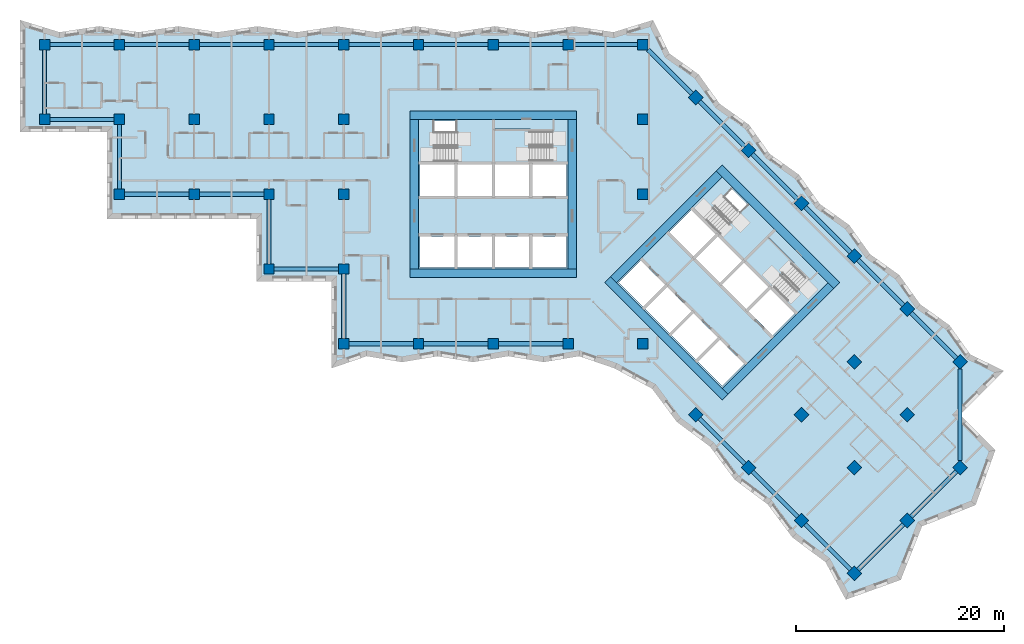
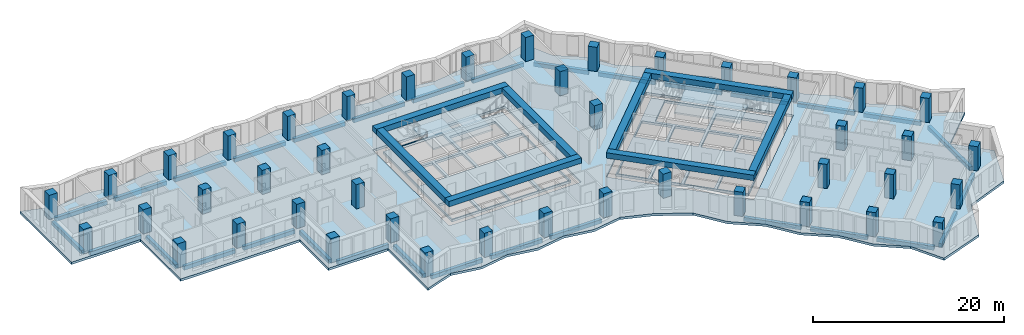
# One storey, part 1 of 13: 43 columns, 39 beams, 7 slabs, 22 openings, 4 elements without a shape of their own.
"""IFC4 building model written with IfcOpenShell, lengths in metres."""

import ifcopenshell
import ifcopenshell.guid

model = None  # the IFC model being written
_history = None  # IfcOwnerHistory: only IFC2X3 demands one
_inside = {}  # id of a spatial element -> (the spatial element, [elements in it])
_under = {}  # id of a project, library or spatial element -> (it, [spatial elements below it])
_declared = {}  # id of a project -> (the project, [libraries it declares])
_typed = {}  # id of a type object -> (the type object, [elements of that type])
_made_of = {}  # id of a material, layer set ... -> (it, [elements and type objects made of it])


def new_model(schema):
    """Start an empty IFC model of exactly this schema.

    Asked for "IFC4X3", IfcOpenShell would pick the latest addendum, in which some entities
    have other attributes; the version numbers below select the first issue.
    IFC2X3 requires an IfcOwnerHistory on every rooted entity: one is made here for all.
    """
    global model, _history
    if schema == "IFC4X3":
        model = ifcopenshell.file(schema_version=(4, 3, 0, 0))
    else:
        model = ifcopenshell.file(schema=schema)
    _inside.clear()
    _under.clear()
    _declared.clear()
    _typed.clear()
    _made_of.clear()
    _history = None
    if model.schema == "IFC2X3":
        org = make("IfcOrganization", Name="unknown")
        user = make(
            "IfcPersonAndOrganization",
            ThePerson=make("IfcPerson", FamilyName="unknown"),
            TheOrganization=org,
        )
        app = make(
            "IfcApplication",
            ApplicationDeveloper=org,
            Version="unknown",
            ApplicationFullName="unknown",
            ApplicationIdentifier="unknown",
        )
        _history = make(
            "IfcOwnerHistory",
            OwningUser=user,
            OwningApplication=app,
            ChangeAction="ADDED",
            CreationDate=0,
        )
    return model


def make(cls, **values):
    """One entity of the class cls with the attributes given. An attribute that is None is left unset."""
    return model.create_entity(
        cls, **{name: value for name, value in values.items() if value is not None}
    )


def rooted(cls, **values):
    """An entity with a GlobalId (a new one), such as an element, a storey or a relation."""
    return make(cls, GlobalId=ifcopenshell.guid.new(), OwnerHistory=_history, **values)


def si_unit(unit_type, name, prefix=None):
    """IfcSIUnit, for example si_unit("LENGTHUNIT", "METRE", prefix="MILLI")."""
    return make("IfcSIUnit", UnitType=unit_type, Prefix=prefix, Name=name)


def assignment(units):
    """IfcUnitAssignment: the units of a project."""
    return None if units is None else make("IfcUnitAssignment", Units=units)


def point(xyz):
    """IfcCartesianPoint."""
    return None if xyz is None else make("IfcCartesianPoint", Coordinates=xyz)


def direction(xyz):
    """IfcDirection."""
    return None if xyz is None else make("IfcDirection", DirectionRatios=xyz)


def frame(location, z_axis=None, x_axis=None):
    """IfcAxis2Placement3D, a coordinate frame: its origin and axes. An axis left out is left unset."""
    return make(
        "IfcAxis2Placement3D",
        Location=point(location),
        Axis=direction(z_axis),
        RefDirection=direction(x_axis),
    )


def frame_2d(location, x_axis=None):
    """IfcAxis2Placement2D, a coordinate frame in the plane: its origin and x axis."""
    return make(
        "IfcAxis2Placement2D", Location=point(location), RefDirection=direction(x_axis)
    )


def origin():
    """The frame at (0, 0, 0) with its axes left unset."""
    return frame((0.0, 0.0, 0.0))


def origin_2d():
    """The frame at (0, 0) in the plane with its x axis left unset."""
    return frame_2d((0.0, 0.0))


def place(relative_to, where):
    """IfcLocalPlacement: puts the frame where relative to a parent placement (None: the world)."""
    return make(
        "IfcLocalPlacement", PlacementRelTo=relative_to, RelativePlacement=where
    )


def context(
    kind, dimensions, precision=None, world=None, true_north=None, identifier=None
):
    """IfcGeometricRepresentationContext, for example the 3D "Model" context."""
    return make(
        "IfcGeometricRepresentationContext",
        ContextIdentifier=identifier,
        ContextType=kind,
        CoordinateSpaceDimension=dimensions,
        Precision=precision,
        WorldCoordinateSystem=world,
        TrueNorth=true_north,
    )


def subcontext(parent, identifier, kind, view, scale=None):
    """IfcGeometricRepresentationSubContext, for example "Body" below "Model"."""
    return make(
        "IfcGeometricRepresentationSubContext",
        ContextIdentifier=identifier,
        ContextType=kind,
        ParentContext=parent,
        TargetScale=scale,
        TargetView=view,
    )


def project(units=None, contexts=None):
    """IfcProject with its units and contexts."""
    return rooted(
        "IfcProject",
        Name="project",
        RepresentationContexts=contexts,
        UnitsInContext=assignment(units),
    )


def spatial(cls, under=None, at=None, **own):
    """A site, building, storey or space (cls), placed at a placement, below another one or the project."""
    s = rooted(cls, ObjectPlacement=at, **own)
    if under is not None:
        _under.setdefault(under.id(), (under, []))[1].append(s)
    return s


def polyline(points):
    """IfcPolyline through the points."""
    return make("IfcPolyline", Points=[point(p) for p in points])


def profile(cls, at=None, kind="AREA", **sizes):
    """A parametric profile (cls). Its sizes go by their IFC names, for example OverallWidth=200.0."""
    return make(cls, ProfileType=kind, Position=at, **sizes)


def rectangle(**sizes):
    """IfcRectangleProfileDef."""
    return profile("IfcRectangleProfileDef", **sizes)


def outline(outer, holes=None, kind="AREA"):
    """IfcArbitraryClosedProfileDef: a profile drawn as a closed curve; with holes, ...WithVoids."""
    if holes is None:
        return make("IfcArbitraryClosedProfileDef", ProfileType=kind, OuterCurve=outer)
    return make(
        "IfcArbitraryProfileDefWithVoids",
        ProfileType=kind,
        OuterCurve=outer,
        InnerCurves=holes,
    )


def extrude(swept, where, along, depth):
    """IfcExtrudedAreaSolid: the profile swept, set in the frame where, extruded along a direction by depth."""
    return make(
        "IfcExtrudedAreaSolid",
        SweptArea=swept,
        Position=where,
        ExtrudedDirection=direction(along),
        Depth=depth,
    )


def shape(context_of_items, identifier, shape_type, items):
    """IfcShapeRepresentation: the items that make up one representation, for example the "Body"."""
    return make(
        "IfcShapeRepresentation",
        ContextOfItems=context_of_items,
        RepresentationIdentifier=identifier,
        RepresentationType=shape_type,
        Items=items,
    )


def material(Name=None, Category=None):
    """IfcMaterial."""
    return make("IfcMaterial", Name=Name, Category=Category)


def layer(
    of_material, thickness, ventilated=None, Name=None, Category=None, Priority=None
):
    """IfcMaterialLayer: one layer of a wall or slab, of a material (None: an air gap)."""
    return make(
        "IfcMaterialLayer",
        Material=of_material,
        LayerThickness=thickness,
        IsVentilated=ventilated,
        Name=Name,
        Category=Category,
        Priority=Priority,
    )


def layer_set(layers, Name=None):
    """IfcMaterialLayerSet."""
    return make("IfcMaterialLayerSet", MaterialLayers=layers, LayerSetName=Name)


def material_profile(
    of_material, cross_section, Name=None, Category=None, Priority=None
):
    """IfcMaterialProfile: a cross section and its material."""
    return make(
        "IfcMaterialProfile",
        Name=Name,
        Material=of_material,
        Profile=cross_section,
        Priority=Priority,
        Category=Category,
    )


def profile_set(profiles, Name=None, composite=None):
    """IfcMaterialProfileSet."""
    return make(
        "IfcMaterialProfileSet",
        Name=Name,
        MaterialProfiles=profiles,
        CompositeProfile=composite,
    )


def made_of(thing, what):
    """Note that an element or type object is made of a material, layer set ...; save() writes the relation."""
    if what is not None:
        _made_of.setdefault(what.id(), (what, []))[1].append(thing)
    return thing


def type_object(cls, material=None, **own):
    """A type object (cls), such as IfcWallType, which elements share."""
    return made_of(rooted(cls, **own), material)


def element(
    cls,
    number,
    at=None,
    inside=None,
    cuts=None,
    type_object=None,
    material=None,
    context=None,
    identifier="Body",
    shape_type=None,
    held_by="IfcProductDefinitionShape",
    body=None,
    shapes=None,
    **own,
):
    """One element of the class cls, such as IfcWall. Its Tag is "e" and its number.

    at: its placement. inside: the storey or other place that contains it. cuts: it is an
    opening in that element (IfcRelVoidsElement). A single representation is given by context,
    identifier, shape_type and body (its items); several are given by shapes. held_by: the class
    of the entity that holds the representations. save() writes the other relations.
    """
    e = rooted(cls, Tag="e%d" % number, ObjectPlacement=at, **own)
    if body is not None:
        shapes = [shape(context, identifier, shape_type, body)]
    if shapes is not None:
        e.Representation = make(held_by, Representations=shapes)
    if inside is not None:
        _inside.setdefault(inside.id(), (inside, []))[1].append(e)
    if cuts is not None:
        rooted(
            "IfcRelVoidsElement", RelatingBuildingElement=cuts, RelatedOpeningElement=e
        )
    if type_object is not None:
        _typed.setdefault(type_object.id(), (type_object, []))[1].append(e)
    return made_of(e, material)


def aggregate(whole, parts):
    """IfcRelAggregates: a whole, such as a stair, and the parts it consists of."""
    return rooted("IfcRelAggregates", RelatingObject=whole, RelatedObjects=parts)


def save(model, path):
    """Write the relations noted so far, then the file.

    IfcRelAggregates (storeys below a building ...), IfcRelContainedInSpatialStructure (elements
    in a storey), IfcRelDefinesByType, IfcRelAssociatesMaterial and IfcRelDeclares: one each for
    every whole, place, type object, material and project.
    """
    for whole, parts in _under.values():
        aggregate(whole, parts)
    for where, things in _inside.values():
        rooted(
            "IfcRelContainedInSpatialStructure",
            RelatedElements=things,
            RelatingStructure=where,
        )
    for kind, things in _typed.values():
        rooted("IfcRelDefinesByType", RelatedObjects=things, RelatingType=kind)
    for what, things in _made_of.values():
        rooted("IfcRelAssociatesMaterial", RelatedObjects=things, RelatingMaterial=what)
    for by, libraries in _declared.values():
        rooted("IfcRelDeclares", RelatingContext=by, RelatedDefinitions=libraries)
    model.write(path)


model = new_model("IFC4")

# Units and contexts
model_context = context("Model", 3, precision=1e-05, world=origin(), true_north=direction((0.0, 1.0)))
body_context = subcontext(model_context, "Body", "Model", "MODEL_VIEW")
ifc_project = project(units=[si_unit("LENGTHUNIT", "METRE"), si_unit("AREAUNIT", "SQUARE_METRE"), si_unit("VOLUMEUNIT", "CUBIC_METRE"), si_unit("PLANEANGLEUNIT", "RADIAN"), si_unit("MASSUNIT", "GRAM", prefix="KILO")], contexts=[model_context])

# Site, building, storey
site_placement = place(None, origin())
site = spatial("IfcSite", under=ifc_project, at=site_placement, CompositionType="ELEMENT")
building_placement = place(site_placement, origin())
building = spatial("IfcBuilding", under=site, at=building_placement, Name="Windrow Commons", CompositionType="ELEMENT")
storey_placement = place(building_placement, frame((0.0, 0.0, 111.8)))
storey = spatial("IfcBuildingStorey", under=building, at=storey_placement, Name="L30", CompositionType="ELEMENT", Elevation=111.8)

# Columns
ifc_material_1 = material(Name="Concrete C60/75", Category="concrete")
ifc_material_profile_1 = material_profile(ifc_material_1, rectangle(XDim=1.0, YDim=1.0, at=origin_2d()))
ifc_profile_set_1 = profile_set([ifc_material_profile_1], Name="Concrete C60/75")
column_type = type_object("IfcColumnType", Name="RC COLUMN 1000x1000 C60/75", PredefinedType="COLUMN", material=ifc_profile_set_1)
for number, where, z_axis, x_axis, name in (
    (1, (21.6, 64.8, 0.0), (0.0, 0.0, 1.0), (1.0, 0.0, 0.0), "C-Z2-04I"),
    (2, (21.6, 72.0, 0.0), (0.0, 0.0, 1.0), (1.0, 0.0, 0.0), "C-Z2-04J"),
    (3, (28.8, 57.6, 0.0), (0.0, 0.0, 1.0), (1.0, 0.0, 0.0), "C-Z2-05H"),
    (4, (28.8, 64.8, 0.0), (0.0, 0.0, 1.0), (1.0, 0.0, 0.0), "C-Z2-05I"),
    (5, (28.8, 72.0, 0.0), (0.0, 0.0, 1.0), (1.0, 0.0, 0.0), "C-Z2-05J"),
    (6, (36.0, 57.6, 0.0), (0.0, 0.0, 1.0), (1.0, 0.0, 0.0), "C-Z2-06H"),
    (7, (36.0, 64.8, 0.0), (0.0, 0.0, 1.0), (1.0, 0.0, 0.0), "C-Z2-06I"),
    (8, (36.0, 72.0, 0.0), (0.0, 0.0, 1.0), (1.0, 0.0, 0.0), "C-Z2-06J"),
    (9, (43.2, 50.4, 0.0), (0.0, 0.0, 1.0), (1.0, 0.0, 0.0), "C-Z2-07G"),
    (10, (43.2, 57.6, 0.0), (0.0, 0.0, 1.0), (1.0, 0.0, 0.0), "C-Z2-07H"),
    (11, (43.2, 64.8, 0.0), (0.0, 0.0, 1.0), (1.0, 0.0, 0.0), "C-Z2-07I"),
    (12, (43.2, 72.0, 0.0), (0.0, 0.0, 1.0), (1.0, 0.0, 0.0), "C-Z2-07J"),
    (13, (50.4, 43.2, 0.0), (0.0, 0.0, 1.0), (1.0, 0.0, 0.0), "C-Z2-08F"),
    (14, (50.4, 50.4, 0.0), (0.0, 0.0, 1.0), (1.0, 0.0, 0.0), "C-Z2-08G"),
    (15, (50.4, 57.6, 0.0), (0.0, 0.0, 1.0), (1.0, 0.0, 0.0), "C-Z2-08H"),
    (16, (50.4, 64.8, 0.0), (0.0, 0.0, 1.0), (1.0, 0.0, 0.0), "C-Z2-08I"),
    (17, (50.4, 72.0, 0.0), (0.0, 0.0, 1.0), (1.0, 0.0, 0.0), "C-Z2-08J"),
    (18, (57.6, 43.2, 0.0), (0.0, 0.0, 1.0), (1.0, 0.0, 0.0), "C-Z2-09F"),
    (19, (57.6, 72.0, 0.0), (0.0, 0.0, 1.0), (1.0, 0.0, 0.0), "C-Z2-09J"),
    (20, (64.8, 43.2, 0.0), (0.0, 0.0, 1.0), (1.0, 0.0, 0.0), "C-Z2-10F"),
    (21, (64.8, 72.0, 0.0), (0.0, 0.0, 1.0), (1.0, 0.0, 0.0), "C-Z2-10J"),
    (22, (72.0, 43.2, 0.0), (0.0, 0.0, 1.0), (1.0, 0.0, 0.0), "C-Z2-11F"),
    (23, (72.0, 72.0, 0.0), (0.0, 0.0, 1.0), (1.0, 0.0, 0.0), "C-Z2-11J"),
    (24, (79.2, 43.2, 0.0), (0.0, 0.0, 1.0), (1.0, 0.0, 0.0), "C-Z2-12F"),
    (25, (79.2, 57.6, 0.0), (0.0, 0.0, 1.0), (1.0, 0.0, 0.0), "C-Z2-12H"),
    (26, (79.2, 64.8, 0.0), (0.0, 0.0, 1.0), (1.0, 0.0, 0.0), "C-Z2-12I"),
    (27, (79.2, 72.0, 0.0), (0.0, 0.0, 1.0), (1.0, 0.0, 0.0), "C-Z2-12J"),
    (28, (84.2912, 66.9088, 0.0), (0.0, 0.0, 1.0), (0.7071067812, -0.7071067812, 0.0), "C-Z2-P2Q"),
    (29, (89.3823, 61.8177, 0.0), (0.0, 0.0, 1.0), (0.7071067812, -0.7071067812, 0.0), "C-Z2-P3Q"),
    (30, (94.4735, 56.7265, 0.0), (0.0, 0.0, 1.0), (0.7071067812, -0.7071067812, 0.0), "C-Z2-P4Q"),
    (31, (99.5647, 51.6353, 0.0), (0.0, 0.0, 1.0), (0.7071067812, -0.7071067812, 0.0), "C-Z2-P5Q"),
    (32, (84.2912, 36.3618, 0.0), (0.0, 0.0, 1.0), (0.7071067812, -0.7071067812, 0.0), "C-Z2-P5T"),
    (33, (104.6558, 46.5442, 0.0), (0.0, 0.0, 1.0), (0.7071067812, -0.7071067812, 0.0), "C-Z2-P6Q"),
    (34, (99.5647, 41.453, 0.0), (0.0, 0.0, 1.0), (0.7071067812, -0.7071067812, 0.0), "C-Z2-P6R"),
    (35, (94.4735, 36.3618, 0.0), (0.0, 0.0, 1.0), (0.7071067812, -0.7071067812, 0.0), "C-Z2-P6S"),
    (36, (89.3823, 31.2706, 0.0), (0.0, 0.0, 1.0), (0.7071067812, -0.7071067812, 0.0), "C-Z2-P6T"),
    (37, (109.747, 41.453, 0.0), (0.0, 0.0, 1.0), (0.7071067812, -0.7071067812, 0.0), "C-Z2-P7Q"),
    (38, (104.6558, 36.3618, 0.0), (0.0, 0.0, 1.0), (0.7071067812, -0.7071067812, 0.0), "C-Z2-P7R"),
    (39, (99.5647, 31.2706, 0.0), (0.0, 0.0, 1.0), (0.7071067812, -0.7071067812, 0.0), "C-Z2-P7S"),
    (40, (94.4735, 26.1795, 0.0), (0.0, 0.0, 1.0), (0.7071067812, -0.7071067812, 0.0), "C-Z2-P7T"),
    (41, (109.747, 31.2706, 0.0), (0.0, 0.0, 1.0), (0.7071067812, -0.7071067812, 0.0), "C-Z2-P8R"),
    (42, (104.6558, 26.1795, 0.0), (0.0, 0.0, 1.0), (0.7071067812, -0.7071067812, 0.0), "C-Z2-P8S"),
    (43, (99.5647, 21.0883, 0.0), (0.0, 0.0, 1.0), (0.7071067812, -0.7071067812, 0.0), "C-Z2-P8T"),
):
    element("IfcColumn", number, at=place(storey_placement, frame(where, z_axis=z_axis, x_axis=x_axis)), inside=storey, type_object=column_type, Name=name, PredefinedType="COLUMN", context=body_context, shape_type="SweptSolid", body=[
        extrude(rectangle(XDim=1.0, YDim=1.0, at=origin_2d()), origin(), (0.0, 0.0, 1.0), 3.1),
    ])

# Beams
ifc_material_2 = material(Name="Concrete C50/60", Category="concrete")
ifc_material_profile_2 = material_profile(ifc_material_2, rectangle(XDim=0.8, YDim=0.7, at=origin_2d()))
ifc_profile_set_2 = profile_set([ifc_material_profile_2], Name="Concrete C50/60")
beam_type_1 = type_object("IfcBeamType", Name="RC COUPLING BEAM 800x700 C50/60", PredefinedType="LINTEL", material=ifc_profile_set_2)
for number, where, z_axis, x_axis, name in (
    (44, (56.8, 50.0, 2.75), (1.0, 0.0, 0.0), (0.0, 1.0, 0.0), "Core A coupling beam outer-S"),
    (45, (56.8, 65.2, 2.75), (1.0, 0.0, 0.0), (0.0, 1.0, 0.0), "Core A coupling beam outer-N"),
):
    element("IfcBeam", number, at=place(storey_placement, frame(where, z_axis=z_axis, x_axis=x_axis)), inside=storey, type_object=beam_type_1, Name=name, PredefinedType="LINTEL", context=body_context, shape_type="SweptSolid", body=[
        extrude(rectangle(XDim=0.8, YDim=0.7, at=origin_2d()), origin(), (0.0, 0.0, 1.0), 16.0),
    ])
for number, where, z_axis, x_axis, name in (
    (46, (57.2, 50.4, 2.75), (0.0, 1.0, 0.0), (-1.0, 0.0, 0.0), "Core A coupling beam outer-W"),
    (47, (72.4, 50.4, 2.75), (0.0, 1.0, 0.0), (-1.0, 0.0, 0.0), "Core A coupling beam outer-E"),
):
    element("IfcBeam", number, at=place(storey_placement, frame(where, z_axis=z_axis, x_axis=x_axis)), inside=storey, type_object=beam_type_1, Name=name, PredefinedType="LINTEL", context=body_context, shape_type="SweptSolid", body=[
        extrude(rectangle(XDim=0.8, YDim=0.7, at=origin_2d()), origin(), (0.0, 0.0, 1.0), 14.4),
    ])
for number, where, z_axis, x_axis, name in (
    (48, (75.8059, 49.3726, 2.75), (0.7071067812, -0.7071067812, 0.0), (0.7071067812, 0.7071067812, 0.0), "Core B coupling beam outer-S"),
    (49, (86.5539, 60.1206, 2.75), (0.7071067812, -0.7071067812, 0.0), (0.7071067812, 0.7071067812, 0.0), "Core B coupling beam outer-N"),
):
    element("IfcBeam", number, at=place(storey_placement, frame(where, z_axis=z_axis, x_axis=x_axis)), inside=storey, type_object=beam_type_1, Name=name, PredefinedType="LINTEL", context=body_context, shape_type="SweptSolid", body=[
        extrude(rectangle(XDim=0.8, YDim=0.7, at=origin_2d()), origin(), (0.0, 0.0, 1.0), 16.0),
    ])
for number, where, z_axis, x_axis, name in (
    (50, (76.3716, 49.3726, 2.75), (0.7071067812, 0.7071067812, 0.0), (-0.7071067812, 0.7071067812, 0.0), "Core B coupling beam outer-W"),
    (51, (87.1196, 38.6246, 2.75), (0.7071067812, 0.7071067812, 0.0), (-0.7071067812, 0.7071067812, 0.0), "Core B coupling beam outer-E"),
):
    element("IfcBeam", number, at=place(storey_placement, frame(where, z_axis=z_axis, x_axis=x_axis)), inside=storey, type_object=beam_type_1, Name=name, PredefinedType="LINTEL", context=body_context, shape_type="SweptSolid", body=[
        extrude(rectangle(XDim=0.8, YDim=0.7, at=origin_2d()), origin(), (0.0, 0.0, 1.0), 14.3999),
    ])
ifc_material_3 = material(Name="Concrete C50/60", Category="concrete")
ifc_material_profile_3 = material_profile(ifc_material_3, rectangle(XDim=0.4, YDim=0.5, at=origin_2d()))
ifc_profile_set_3 = profile_set([ifc_material_profile_3], Name="Concrete C50/60")
beam_type_2 = type_object("IfcBeamType", Name="RC EDGE BEAM 400x500 C50/60", PredefinedType="SPANDREL", material=ifc_profile_set_3)
for number, where, z_axis, x_axis, name in (
    (52, (35.5, 57.6, -0.55), (-1.0, 0.0, 0.0), (0.0, -1.0, 0.0), "Edge beam L30 001"),
    (53, (28.8, 58.1, -0.55), (0.0, 1.0, 0.0), (-1.0, 0.0, 0.0), "Edge beam L30 002"),
    (54, (28.3, 64.8, -0.55), (-1.0, 0.0, 0.0), (0.0, -1.0, 0.0), "Edge beam L30 003"),
    (55, (21.6, 65.3, -0.55), (0.0, 1.0, 0.0), (-1.0, 0.0, 0.0), "Edge beam L30 004"),
    (56, (22.1, 72.0, -0.55), (1.0, 0.0, 0.0), (0.0, 1.0, 0.0), "Edge beam L30 005"),
    (57, (29.3, 72.0, -0.55), (1.0, 0.0, 0.0), (0.0, 1.0, 0.0), "Edge beam L30 006"),
    (58, (36.5, 72.0, -0.55), (1.0, 0.0, 0.0), (0.0, 1.0, 0.0), "Edge beam L30 007"),
    (59, (43.7, 72.0, -0.55), (1.0, 0.0, 0.0), (0.0, 1.0, 0.0), "Edge beam L30 008"),
    (60, (50.9, 72.0, -0.55), (1.0, 0.0, 0.0), (0.0, 1.0, 0.0), "Edge beam L30 009"),
    (61, (58.1, 72.0, -0.55), (1.0, 0.0, 0.0), (0.0, 1.0, 0.0), "Edge beam L30 010"),
    (62, (65.3, 72.0, -0.55), (1.0, 0.0, 0.0), (0.0, 1.0, 0.0), "Edge beam L30 011"),
    (63, (72.5, 72.0, -0.55), (1.0, 0.0, 0.0), (0.0, 1.0, 0.0), "Edge beam L30 012"),
):
    element("IfcBeam", number, at=place(storey_placement, frame(where, z_axis=z_axis, x_axis=x_axis)), inside=storey, type_object=beam_type_2, Name=name, PredefinedType="SPANDREL", context=body_context, shape_type="SweptSolid", body=[
        extrude(rectangle(XDim=0.4, YDim=0.5, at=origin_2d()), origin(), (0.0, 0.0, 1.0), 6.2),
    ])
beam_1_placement = place(storey_placement, frame((79.7, 71.5, -0.55), z_axis=(0.7071067812, -0.7071067812, 0.0), x_axis=(0.7071067812, 0.7071067812, 0.0)))
element("IfcBeam", 64, at=beam_1_placement, inside=storey, type_object=beam_type_2, Name="Edge beam L30 013", PredefinedType="SPANDREL", context=body_context, shape_type="SweptSolid", body=[
    extrude(rectangle(XDim=0.4, YDim=0.5, at=origin_2d()), origin(), (0.0, 0.0, 1.0), 5.9929),
])
beam_2_placement = place(storey_placement, frame((84.6448, 66.5552, -0.55), z_axis=(0.7071067812, -0.7071067812, 0.0), x_axis=(0.7071067812, 0.7071067812, 0.0)))
element("IfcBeam", 65, at=beam_2_placement, inside=storey, type_object=beam_type_2, Name="Edge beam L30 014", PredefinedType="SPANDREL", context=body_context, shape_type="SweptSolid", body=[
    extrude(rectangle(XDim=0.4, YDim=0.5, at=origin_2d()), origin(), (0.0, 0.0, 1.0), 6.1998),
])
for number, where, z_axis, x_axis, name in (
    (66, (89.7359, 61.4641, -0.55), (0.7071067812, -0.7071067812, 0.0), (0.7071067812, 0.7071067812, 0.0), "Edge beam L30 015"),
    (67, (94.8271, 56.3729, -0.55), (0.7071067812, -0.7071067812, 0.0), (0.7071067812, 0.7071067812, 0.0), "Edge beam L30 016"),
):
    element("IfcBeam", number, at=place(storey_placement, frame(where, z_axis=z_axis, x_axis=x_axis)), inside=storey, type_object=beam_type_2, Name=name, PredefinedType="SPANDREL", context=body_context, shape_type="SweptSolid", body=[
        extrude(rectangle(XDim=0.4, YDim=0.5, at=origin_2d()), origin(), (0.0, 0.0, 1.0), 6.1999),
    ])
beam_3_placement = place(storey_placement, frame((99.9183, 51.2817, -0.55), z_axis=(0.7071067812, -0.7071067812, 0.0), x_axis=(0.7071067812, 0.7071067812, 0.0)))
element("IfcBeam", 68, at=beam_3_placement, inside=storey, type_object=beam_type_2, Name="Edge beam L30 017", PredefinedType="SPANDREL", context=body_context, shape_type="SweptSolid", body=[
    extrude(rectangle(XDim=0.4, YDim=0.5, at=origin_2d()), origin(), (0.0, 0.0, 1.0), 6.1998),
])
beam_4_placement = place(storey_placement, frame((105.0094, 46.1906, -0.55), z_axis=(0.7071067812, -0.7071067812, 0.0), x_axis=(0.7071067812, 0.7071067812, 0.0)))
element("IfcBeam", 69, at=beam_4_placement, inside=storey, type_object=beam_type_2, Name="Edge beam L30 018", PredefinedType="SPANDREL", context=body_context, shape_type="SweptSolid", body=[
    extrude(rectangle(XDim=0.4, YDim=0.5, at=origin_2d()), origin(), (0.0, 0.0, 1.0), 6.1999),
])
beam_5_placement = place(storey_placement, frame((109.747, 40.7459, -0.55), z_axis=(0.0, -1.0, 0.0), x_axis=(1.0, 0.0, 0.0)))
element("IfcBeam", 70, at=beam_5_placement, inside=storey, type_object=beam_type_2, Name="Edge beam L30 019", PredefinedType="SPANDREL", context=body_context, shape_type="SweptSolid", body=[
    extrude(rectangle(XDim=0.4, YDim=0.5, at=origin_2d()), origin(), (0.0, 0.0, 1.0), 8.7682),
])
for number, where, z_axis, x_axis, name in (
    (71, (109.3934, 30.917, -0.55), (-0.7071148459, -0.7070987164, 0.0), (0.7070987164, -0.7071148459, 0.0), "Edge beam L30 020"),
    (72, (104.3022, 25.8259, -0.55), (-0.7070987164, -0.7071148459, 0.0), (0.7071148459, -0.7070987164, 0.0), "Edge beam L30 021"),
):
    element("IfcBeam", number, at=place(storey_placement, frame(where, z_axis=z_axis, x_axis=x_axis)), inside=storey, type_object=beam_type_2, Name=name, PredefinedType="SPANDREL", context=body_context, shape_type="SweptSolid", body=[
        extrude(rectangle(XDim=0.4, YDim=0.5, at=origin_2d()), origin(), (0.0, 0.0, 1.0), 6.1998),
    ])
beam_6_placement = place(storey_placement, frame((99.2111, 21.4419, -0.55), z_axis=(-0.7071067812, 0.7071067812, 0.0), x_axis=(-0.7071067812, -0.7071067812, 0.0)))
element("IfcBeam", 73, at=beam_6_placement, inside=storey, type_object=beam_type_2, Name="Edge beam L30 022", PredefinedType="SPANDREL", context=body_context, shape_type="SweptSolid", body=[
    extrude(rectangle(XDim=0.4, YDim=0.5, at=origin_2d()), origin(), (0.0, 0.0, 1.0), 6.1999),
])
for number, where, z_axis, x_axis, name in (
    (74, (94.1199, 26.5331, -0.55), (-0.7071148459, 0.7070987164, 0.0), (-0.7070987164, -0.7071148459, 0.0), "Edge beam L30 023"),
    (75, (89.0287, 31.6242, -0.55), (-0.7070987164, 0.7071148459, 0.0), (-0.7071148459, -0.7070987164, 0.0), "Edge beam L30 024"),
):
    element("IfcBeam", number, at=place(storey_placement, frame(where, z_axis=z_axis, x_axis=x_axis)), inside=storey, type_object=beam_type_2, Name=name, PredefinedType="SPANDREL", context=body_context, shape_type="SweptSolid", body=[
        extrude(rectangle(XDim=0.4, YDim=0.5, at=origin_2d()), origin(), (0.0, 0.0, 1.0), 6.1998),
    ])
for number, where, z_axis, x_axis, name in (
    (76, (71.5, 43.2, -0.55), (-1.0, 0.0, 0.0), (0.0, -1.0, 0.0), "Edge beam L30 025"),
    (77, (64.3, 43.2, -0.55), (-1.0, 0.0, 0.0), (0.0, -1.0, 0.0), "Edge beam L30 026"),
    (78, (57.1, 43.2, -0.55), (-1.0, 0.0, 0.0), (0.0, -1.0, 0.0), "Edge beam L30 027"),
    (79, (50.4, 43.7, -0.55), (0.0, 1.0, 0.0), (-1.0, 0.0, 0.0), "Edge beam L30 028"),
    (80, (49.9, 50.4, -0.55), (-1.0, 0.0, 0.0), (0.0, -1.0, 0.0), "Edge beam L30 029"),
    (81, (43.2, 50.9, -0.55), (0.0, 1.0, 0.0), (-1.0, 0.0, 0.0), "Edge beam L30 030"),
    (82, (42.7, 57.6, -0.55), (-1.0, 0.0, 0.0), (0.0, -1.0, 0.0), "Edge beam L30 031"),
):
    element("IfcBeam", number, at=place(storey_placement, frame(where, z_axis=z_axis, x_axis=x_axis)), inside=storey, type_object=beam_type_2, Name=name, PredefinedType="SPANDREL", context=body_context, shape_type="SweptSolid", body=[
        extrude(rectangle(XDim=0.4, YDim=0.5, at=origin_2d()), origin(), (0.0, 0.0, 1.0), 6.2),
    ])

# Slab, openings
ifc_material_4 = material(Name="Concrete C50/60", Category="concrete")
ifc_layer_1 = layer(ifc_material_4, 0.3)
ifc_layer_set_1 = layer_set([ifc_layer_1], Name="CORE FLOOR SLAB 300 C50/60")
slab_type_1 = type_object("IfcSlabType", Name="CORE FLOOR SLAB 300 C50/60", PredefinedType="FLOOR", material=ifc_layer_set_1)
placement_1 = place(storey_placement, frame((0.0, 0.0, -0.3)))
slab_1 = element("IfcSlab", 83, at=placement_1, inside=storey, type_object=slab_type_1, Name="S-L30-core-A", PredefinedType="FLOOR", context=body_context, shape_type="SweptSolid", body=[
    extrude(outline(polyline([(57.6, 50.4), (72.0, 50.4), (72.0, 64.8), (57.6, 64.8), (57.6, 50.4)]), holes=[polyline([(57.75, 50.55), (61.05, 50.55), (61.05, 53.55), (57.75, 53.55), (57.75, 50.55)]), polyline([(61.35, 50.55), (64.65, 50.55), (64.65, 53.55), (61.35, 53.55), (61.35, 50.55)]), polyline([(64.95, 50.55), (68.25, 50.55), (68.25, 53.55), (64.95, 53.55), (64.95, 50.55)]), polyline([(68.55, 50.55), (71.85, 50.55), (71.85, 53.55), (68.55, 53.55), (68.55, 50.55)]), polyline([(57.75, 57.45), (61.05, 57.45), (61.05, 60.45), (57.75, 60.45), (57.75, 57.45)]), polyline([(61.35, 57.45), (64.65, 57.45), (64.65, 60.45), (61.35, 60.45), (61.35, 57.45)]), polyline([(64.95, 57.45), (68.25, 57.45), (68.25, 60.45), (64.95, 60.45), (64.95, 57.45)]), polyline([(68.55, 57.45), (71.85, 57.45), (71.85, 60.45), (68.55, 60.45), (68.55, 57.45)]), polyline([(59.1, 60.75), (64.65, 60.75), (64.65, 64.65), (59.1, 64.65), (59.1, 60.75)]), polyline([(64.95, 60.75), (70.5, 60.75), (70.5, 63.705), (64.95, 63.705), (64.95, 60.75)])]), origin(), (0.0, 0.0, 1.0), 0.3),
])
opening_1_placement = place(placement_1, origin())
element("IfcOpeningElement", 84, at=opening_1_placement, cuts=slab_1, Name="Slab opening S-L30-core-A 1", PredefinedType="OPENING", context=body_context, shape_type="SweptSolid", body=[
    extrude(outline(polyline([(57.755, 50.555), (57.755, 53.545), (61.045, 53.545), (61.045, 50.555), (57.755, 50.555)])), origin(), (0.0, 0.0, 1.0), 0.3),
])
opening_2_placement = place(placement_1, origin())
element("IfcOpeningElement", 85, at=opening_2_placement, cuts=slab_1, Name="Slab opening S-L30-core-A 2", PredefinedType="OPENING", context=body_context, shape_type="SweptSolid", body=[
    extrude(outline(polyline([(61.355, 50.555), (61.355, 53.545), (64.645, 53.545), (64.645, 50.555), (61.355, 50.555)])), origin(), (0.0, 0.0, 1.0), 0.3),
])
opening_3_placement = place(placement_1, origin())
element("IfcOpeningElement", 86, at=opening_3_placement, cuts=slab_1, Name="Slab opening S-L30-core-A 3", PredefinedType="OPENING", context=body_context, shape_type="SweptSolid", body=[
    extrude(outline(polyline([(64.955, 50.555), (64.955, 53.545), (68.245, 53.545), (68.245, 50.555), (64.955, 50.555)])), origin(), (0.0, 0.0, 1.0), 0.3),
])
opening_4_placement = place(placement_1, origin())
element("IfcOpeningElement", 87, at=opening_4_placement, cuts=slab_1, Name="Slab opening S-L30-core-A 4", PredefinedType="OPENING", context=body_context, shape_type="SweptSolid", body=[
    extrude(outline(polyline([(68.555, 50.555), (68.555, 53.545), (71.845, 53.545), (71.845, 50.555), (68.555, 50.555)])), origin(), (0.0, 0.0, 1.0), 0.3),
])
opening_5_placement = place(placement_1, origin())
element("IfcOpeningElement", 88, at=opening_5_placement, cuts=slab_1, Name="Slab opening S-L30-core-A 5", PredefinedType="OPENING", context=body_context, shape_type="SweptSolid", body=[
    extrude(outline(polyline([(57.755, 57.455), (57.755, 60.445), (61.045, 60.445), (61.045, 57.455), (57.755, 57.455)])), origin(), (0.0, 0.0, 1.0), 0.3),
])
opening_6_placement = place(placement_1, origin())
element("IfcOpeningElement", 89, at=opening_6_placement, cuts=slab_1, Name="Slab opening S-L30-core-A 6", PredefinedType="OPENING", context=body_context, shape_type="SweptSolid", body=[
    extrude(outline(polyline([(61.355, 57.455), (61.355, 60.445), (64.645, 60.445), (64.645, 57.455), (61.355, 57.455)])), origin(), (0.0, 0.0, 1.0), 0.3),
])
opening_7_placement = place(placement_1, origin())
element("IfcOpeningElement", 90, at=opening_7_placement, cuts=slab_1, Name="Slab opening S-L30-core-A 7", PredefinedType="OPENING", context=body_context, shape_type="SweptSolid", body=[
    extrude(outline(polyline([(64.955, 57.455), (64.955, 60.445), (68.245, 60.445), (68.245, 57.455), (64.955, 57.455)])), origin(), (0.0, 0.0, 1.0), 0.3),
])
opening_8_placement = place(placement_1, origin())
element("IfcOpeningElement", 91, at=opening_8_placement, cuts=slab_1, Name="Slab opening S-L30-core-A 8", PredefinedType="OPENING", context=body_context, shape_type="SweptSolid", body=[
    extrude(outline(polyline([(68.555, 57.455), (68.555, 60.445), (71.845, 60.445), (71.845, 57.455), (68.555, 57.455)])), origin(), (0.0, 0.0, 1.0), 0.3),
])
opening_9_placement = place(placement_1, origin())
element("IfcOpeningElement", 92, at=opening_9_placement, cuts=slab_1, Name="Slab opening S-L30-core-A 9", PredefinedType="OPENING", context=body_context, shape_type="SweptSolid", body=[
    extrude(outline(polyline([(59.105, 60.755), (59.105, 64.645), (64.645, 64.645), (64.645, 60.755), (59.105, 60.755)])), origin(), (0.0, 0.0, 1.0), 0.3),
])
opening_10_placement = place(placement_1, origin())
element("IfcOpeningElement", 93, at=opening_10_placement, cuts=slab_1, Name="Slab opening S-L30-core-A 10", PredefinedType="OPENING", context=body_context, shape_type="SweptSolid", body=[
    extrude(outline(polyline([(64.955, 60.755), (64.955, 63.7), (70.495, 63.7), (70.495, 60.755), (64.955, 60.755)])), origin(), (0.0, 0.0, 1.0), 0.3),
])

slab_2 = element("IfcSlab", 94, at=placement_1, inside=storey, type_object=slab_type_1, Name="S-L30-core-B", PredefinedType="FLOOR", context=body_context, shape_type="SweptSolid", body=[
    extrude(outline(polyline([(76.6544, 49.0897), (86.8368, 38.9074), (97.0191, 49.0897), (86.8368, 59.2721), (76.6544, 49.0897)]), holes=[polyline([(76.8665, 49.0897), (79.2, 46.7563), (81.3213, 48.8776), (78.9879, 51.2111), (76.8665, 49.0897)]), polyline([(79.4121, 46.5442), (81.7456, 44.2107), (83.8669, 46.332), (81.5335, 48.6655), (79.4121, 46.5442)]), polyline([(81.9577, 43.9986), (84.2912, 41.6651), (86.4125, 43.7864), (84.079, 46.1199), (81.9577, 43.9986)]), polyline([(84.5033, 41.453), (86.8368, 39.1195), (88.9581, 41.2409), (86.6246, 43.5743), (84.5033, 41.453)]), polyline([(81.7456, 53.9688), (84.079, 51.6353), (86.2004, 53.7566), (83.8669, 56.0901), (81.7456, 53.9688)]), polyline([(84.2912, 51.4232), (86.6246, 49.0897), (88.7459, 51.2111), (86.4125, 53.5445), (84.2912, 51.4232)]), polyline([(86.8368, 48.8776), (89.1702, 46.5442), (91.2915, 48.6655), (88.9581, 50.9989), (86.8368, 48.8776)]), polyline([(89.3823, 46.332), (91.7158, 43.9986), (93.8371, 46.1199), (91.5037, 48.4533), (89.3823, 46.332)]), polyline([(85.0336, 55.3476), (88.9581, 51.4232), (91.7158, 54.1809), (87.7913, 58.1054), (85.0336, 55.3476)]), polyline([(89.1702, 51.2111), (93.0946, 47.2866), (95.1841, 49.3761), (91.2597, 53.3006), (89.1702, 51.2111)])]), origin(), (0.0, 0.0, 1.0), 0.3),
])
opening_11_placement = place(placement_1, origin())
element("IfcOpeningElement", 95, at=opening_11_placement, cuts=slab_2, Name="Slab opening S-L30-core-B 1", PredefinedType="OPENING", context=body_context, shape_type="SweptSolid", body=[
    extrude(outline(polyline([(76.8736, 49.0897), (78.9879, 51.204), (81.3142, 48.8776), (79.2, 46.7634), (76.8736, 49.0897)])), origin(), (0.0, 0.0, 1.0), 0.3),
])
opening_12_placement = place(placement_1, origin())
element("IfcOpeningElement", 96, at=opening_12_placement, cuts=slab_2, Name="Slab opening S-L30-core-B 2", PredefinedType="OPENING", context=body_context, shape_type="SweptSolid", body=[
    extrude(outline(polyline([(79.4192, 46.5442), (81.5335, 48.6584), (83.8598, 46.332), (81.7456, 44.2178), (79.4192, 46.5442)])), origin(), (0.0, 0.0, 1.0), 0.3),
])
opening_13_placement = place(placement_1, origin())
element("IfcOpeningElement", 97, at=opening_13_placement, cuts=slab_2, Name="Slab opening S-L30-core-B 3", PredefinedType="OPENING", context=body_context, shape_type="SweptSolid", body=[
    extrude(outline(polyline([(81.9648, 43.9986), (84.079, 46.1128), (86.4054, 43.7864), (84.2912, 41.6722), (81.9648, 43.9986)])), origin(), (0.0, 0.0, 1.0), 0.3),
])
opening_14_placement = place(placement_1, origin())
element("IfcOpeningElement", 98, at=opening_14_placement, cuts=slab_2, Name="Slab opening S-L30-core-B 4", PredefinedType="OPENING", context=body_context, shape_type="SweptSolid", body=[
    extrude(outline(polyline([(84.5104, 41.453), (86.6246, 43.5672), (88.951, 41.2409), (86.8368, 39.1266), (84.5104, 41.453)])), origin(), (0.0, 0.0, 1.0), 0.3),
])
opening_15_placement = place(placement_1, origin())
element("IfcOpeningElement", 99, at=opening_15_placement, cuts=slab_2, Name="Slab opening S-L30-core-B 5", PredefinedType="OPENING", context=body_context, shape_type="SweptSolid", body=[
    extrude(outline(polyline([(81.7527, 53.9688), (83.8669, 56.083), (86.1933, 53.7566), (84.079, 51.6424), (81.7527, 53.9688)])), origin(), (0.0, 0.0, 1.0), 0.3),
])
opening_16_placement = place(placement_1, origin())
element("IfcOpeningElement", 100, at=opening_16_placement, cuts=slab_2, Name="Slab opening S-L30-core-B 6", PredefinedType="OPENING", context=body_context, shape_type="SweptSolid", body=[
    extrude(outline(polyline([(84.2983, 51.4232), (86.4125, 53.5374), (88.7388, 51.2111), (86.6246, 49.0968), (84.2983, 51.4232)])), origin(), (0.0, 0.0, 1.0), 0.3),
])
opening_17_placement = place(placement_1, origin())
element("IfcOpeningElement", 101, at=opening_17_placement, cuts=slab_2, Name="Slab opening S-L30-core-B 7", PredefinedType="OPENING", context=body_context, shape_type="SweptSolid", body=[
    extrude(outline(polyline([(86.8439, 48.8776), (88.9581, 50.9918), (91.2844, 48.6655), (89.1702, 46.5513), (86.8439, 48.8776)])), origin(), (0.0, 0.0, 1.0), 0.3),
])
opening_18_placement = place(placement_1, origin())
element("IfcOpeningElement", 102, at=opening_18_placement, cuts=slab_2, Name="Slab opening S-L30-core-B 8", PredefinedType="OPENING", context=body_context, shape_type="SweptSolid", body=[
    extrude(outline(polyline([(89.3894, 46.332), (91.5037, 48.4462), (93.83, 46.1199), (91.7158, 44.0057), (89.3894, 46.332)])), origin(), (0.0, 0.0, 1.0), 0.3),
])
opening_19_placement = place(placement_1, origin())
element("IfcOpeningElement", 103, at=opening_19_placement, cuts=slab_2, Name="Slab opening S-L30-core-B 9", PredefinedType="OPENING", context=body_context, shape_type="SweptSolid", body=[
    extrude(outline(polyline([(85.0407, 55.3476), (87.7913, 58.0983), (91.7087, 54.1809), (88.9581, 51.4303), (85.0407, 55.3476)])), origin(), (0.0, 0.0, 1.0), 0.3),
])
opening_20_placement = place(placement_1, origin())
element("IfcOpeningElement", 104, at=opening_20_placement, cuts=slab_2, Name="Slab opening S-L30-core-B 10", PredefinedType="OPENING", context=body_context, shape_type="SweptSolid", body=[
    extrude(outline(polyline([(89.1773, 51.2111), (91.2597, 53.2935), (95.177, 49.3761), (93.0946, 47.2937), (89.1773, 51.2111)])), origin(), (0.0, 0.0, 1.0), 0.3),
])

# Stair, slab
ifc_material_5 = material(Name="Concrete C40/50", Category="concrete")
stair_type = type_object("IfcStairType", Name="Core stair", PredefinedType="HALF_TURN_STAIR", material=ifc_material_5)
placement_2 = place(storey_placement, origin())
stair_1 = element("IfcStair", 105, at=placement_2, inside=storey, type_object=stair_type, Name="L30 Exit stair A1 core A", PredefinedType="HALF_TURN_STAIR")
ifc_material_6 = material(Name="Concrete C40/50", Category="concrete")
ifc_layer_2 = layer(ifc_material_6, 0.2)
ifc_layer_set_2 = layer_set([ifc_layer_2], Name="Core stair landing")
slab_type_2 = type_object("IfcSlabType", Name="Core stair landing", PredefinedType="LANDING", material=ifc_layer_set_2)
placement_3 = place(storey_placement, frame((0.0, 0.0, 1.5)))
slab_3 = element("IfcSlab", 106, at=placement_3, type_object=slab_type_2, Name="ST-A1 landing 1", PredefinedType="LANDING", context=body_context, shape_type="SweptSolid", body=[
    extrude(outline(polyline([(61.22, 60.5), (64.8, 60.5), (64.8, 64.9), (61.22, 64.9), (61.22, 60.5)])), origin(), (0.0, 0.0, 1.0), 0.2),
])
aggregate(stair_1, [slab_3])

stair_2 = element("IfcStair", 107, at=placement_2, inside=storey, type_object=stair_type, Name="L30 Exit stair A2 core A", PredefinedType="HALF_TURN_STAIR")
slab_4 = element("IfcSlab", 108, at=placement_3, type_object=slab_type_2, Name="ST-A2 landing 1", PredefinedType="LANDING", context=body_context, shape_type="SweptSolid", body=[
    extrude(outline(polyline([(64.8, 60.5), (68.38, 60.5), (68.38, 63.855), (64.8, 63.855), (64.8, 60.5)])), origin(), (0.0, 0.0, 1.0), 0.2),
])
aggregate(stair_2, [slab_4])

stair_3 = element("IfcStair", 109, at=placement_2, inside=storey, type_object=stair_type, Name="L30 Exit stair B1 core B", PredefinedType="HALF_TURN_STAIR")
slab_5 = element("IfcSlab", 110, at=placement_3, type_object=slab_type_2, Name="ST-B1 landing 1", PredefinedType="LANDING", context=body_context, shape_type="SweptSolid", body=[
    extrude(outline(polyline([(86.3559, 53.6718), (88.8874, 51.1403), (91.9986, 54.2516), (89.4672, 56.7831), (86.3559, 53.6718)])), origin(), (0.0, 0.0, 1.0), 0.2),
])
aggregate(stair_3, [slab_5])

stair_4 = element("IfcStair", 111, at=placement_2, inside=storey, type_object=stair_type, Name="L30 Exit stair B2 core B", PredefinedType="HALF_TURN_STAIR")
slab_6 = element("IfcSlab", 112, at=placement_3, type_object=slab_type_2, Name="ST-B2 landing 1", PredefinedType="LANDING", context=body_context, shape_type="SweptSolid", body=[
    extrude(outline(polyline([(88.8874, 51.1403), (91.4188, 48.6089), (93.7911, 50.9812), (91.2597, 53.5127), (88.8874, 51.1403)])), origin(), (0.0, 0.0, 1.0), 0.2),
])
aggregate(stair_4, [slab_6])

# Slab, openings
ifc_material_7 = material(Name="Concrete C50/60", Category="concrete")
ifc_layer_3 = layer(ifc_material_7, 0.3)
ifc_layer_set_3 = layer_set([ifc_layer_3], Name="FLOOR SLAB 300 C50/60")
slab_type_3 = type_object("IfcSlabType", Name="FLOOR SLAB 300 C50/60", PredefinedType="FLOOR", material=ifc_layer_set_3)
slab_7 = element("IfcSlab", 113, at=placement_1, inside=storey, type_object=slab_type_3, Name="S-L30-floor", PredefinedType="FLOOR", context=body_context, shape_type="SweptSolid", body=[
    extrude(outline(polyline([(96.7815, 22.1745), (98.736, 18.5626), (104.0343, 20.4668), (106.08, 25.6237), (111.2369, 27.6694), (113.1411, 32.9677), (109.747, 36.3618), (113.9698, 40.5846), (110.7277, 42.1693), (108.7188, 44.9871), (105.901, 46.9961), (103.8921, 49.8139), (101.0742, 51.8228), (99.0653, 54.6407), (96.2475, 56.6496), (94.2386, 59.4674), (91.4207, 61.4764), (89.4118, 64.2942), (86.594, 66.3031), (84.585, 69.121), (81.7672, 71.1299), (80.1826, 74.372), (76.3729, 73.2), (72.5632, 73.772), (68.7536, 73.2), (64.9439, 73.772), (61.1343, 73.2), (57.3246, 73.772), (53.5149, 73.2), (49.7053, 73.772), (45.8956, 73.2), (42.086, 73.772), (38.2763, 73.2), (34.4666, 73.772), (30.657, 73.2), (26.8473, 73.772), (23.0377, 73.2), (19.228, 74.372), (19.228, 63.6), (27.6, 63.6), (27.6, 55.228), (42.0, 55.228), (42.0, 49.2), (49.2, 49.2), (49.2, 40.828), (52.6088, 42.0), (56.0176, 41.428), (59.4264, 42.0), (62.8352, 41.428), (66.244, 42.0), (69.6528, 41.428), (73.0616, 42.0), (76.4704, 40.828), (80.0824, 38.8736), (82.4611, 35.6859), (85.6487, 33.3072), (88.0275, 30.1196), (91.2151, 27.7408), (93.5939, 24.5532), (96.7815, 22.1745)]), holes=[polyline([(75.523, 49.0897), (86.8368, 60.4034), (98.1505, 49.0897), (86.8368, 37.776), (75.523, 49.0897)]), polyline([(56.8, 49.6), (56.8, 65.6), (72.8, 65.6), (72.8, 49.6), (56.8, 49.6)])]), origin(), (0.0, 0.0, 1.0), 0.3),
])
opening_21_placement = place(placement_1, origin())
element("IfcOpeningElement", 114, at=opening_21_placement, cuts=slab_7, Name="Slab opening S-L30-floor 1", PredefinedType="OPENING", context=body_context, shape_type="SweptSolid", body=[
    extrude(outline(polyline([(75.5301, 49.0897), (86.8368, 60.3963), (98.1434, 49.0897), (86.8368, 37.7831), (75.5301, 49.0897)])), origin(), (0.0, 0.0, 1.0), 0.3),
])
opening_22_placement = place(placement_1, origin())
element("IfcOpeningElement", 115, at=opening_22_placement, cuts=slab_7, Name="Slab opening S-L30-floor 2", PredefinedType="OPENING", context=body_context, shape_type="SweptSolid", body=[
    extrude(outline(polyline([(56.805, 49.605), (56.805, 65.595), (72.795, 65.595), (72.795, 49.605), (56.805, 49.605)])), origin(), (0.0, 0.0, 1.0), 0.3),
])

save(model, "model.ifc")
